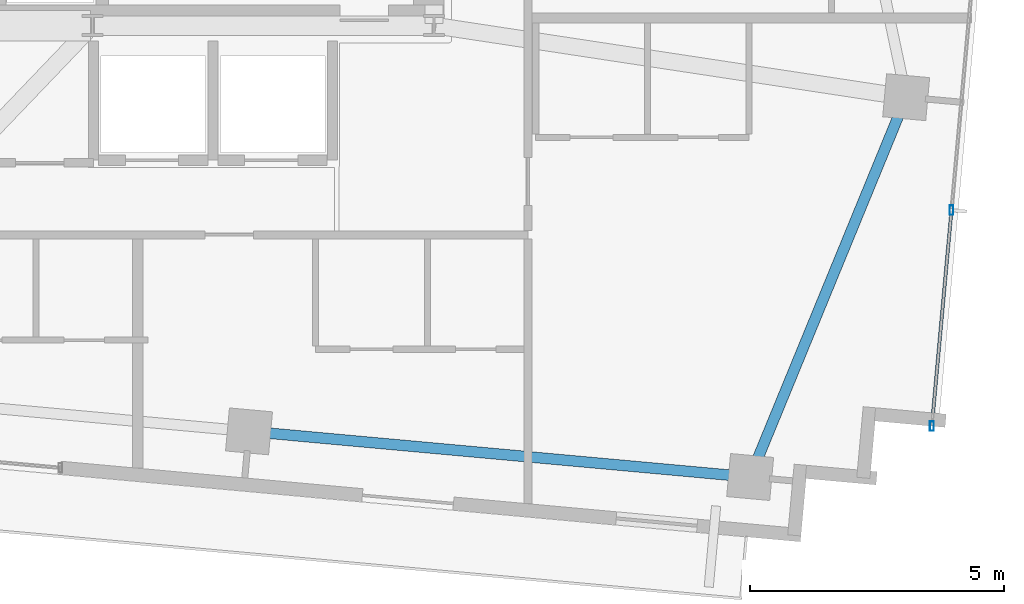
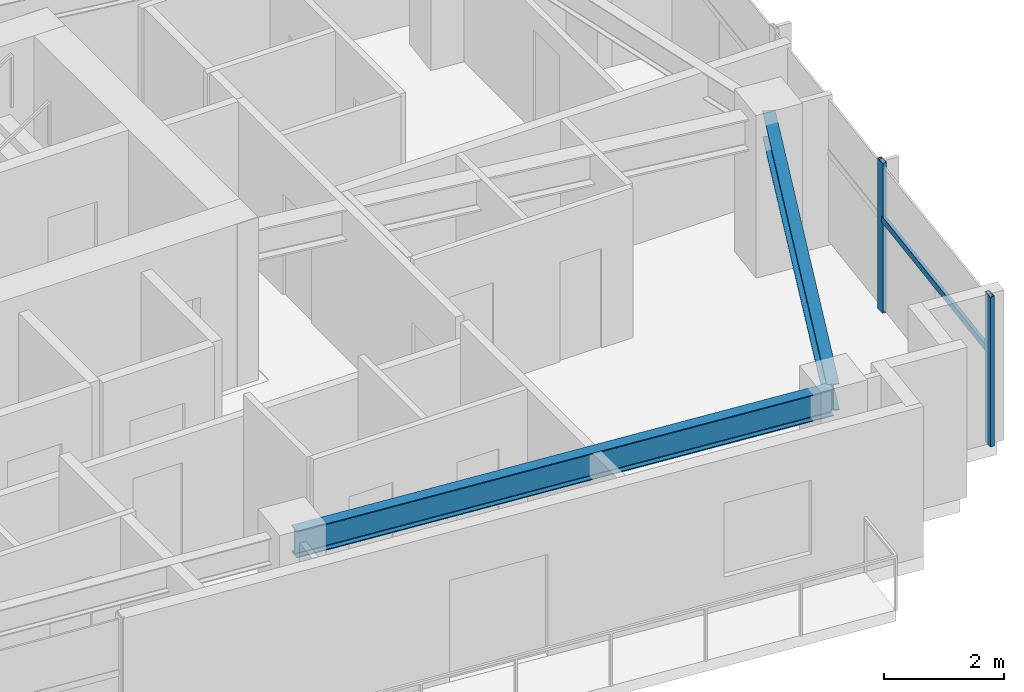
# One storey, part 12 of 22: 3 members, 2 beams, 1 element without a shape of its own.
"""IFC4 building model written with IfcOpenShell, lengths in metres."""

import ifcopenshell
import ifcopenshell.guid

model = None  # the IFC model being written
_history = None  # IfcOwnerHistory: only IFC2X3 demands one
_inside = {}  # id of a spatial element -> (the spatial element, [elements in it])
_under = {}  # id of a project, library or spatial element -> (it, [spatial elements below it])
_declared = {}  # id of a project -> (the project, [libraries it declares])
_typed = {}  # id of a type object -> (the type object, [elements of that type])
_made_of = {}  # id of a material, layer set ... -> (it, [elements and type objects made of it])


def new_model(schema):
    """Start an empty IFC model of exactly this schema.

    Asked for "IFC4X3", IfcOpenShell would pick the latest addendum, in which some entities
    have other attributes; the version numbers below select the first issue.
    IFC2X3 requires an IfcOwnerHistory on every rooted entity: one is made here for all.
    """
    global model, _history
    if schema == "IFC4X3":
        model = ifcopenshell.file(schema_version=(4, 3, 0, 0))
    else:
        model = ifcopenshell.file(schema=schema)
    _inside.clear()
    _under.clear()
    _declared.clear()
    _typed.clear()
    _made_of.clear()
    _history = None
    if model.schema == "IFC2X3":
        org = make("IfcOrganization", Name="unknown")
        user = make(
            "IfcPersonAndOrganization",
            ThePerson=make("IfcPerson", FamilyName="unknown"),
            TheOrganization=org,
        )
        app = make(
            "IfcApplication",
            ApplicationDeveloper=org,
            Version="unknown",
            ApplicationFullName="unknown",
            ApplicationIdentifier="unknown",
        )
        _history = make(
            "IfcOwnerHistory",
            OwningUser=user,
            OwningApplication=app,
            ChangeAction="ADDED",
            CreationDate=0,
        )
    return model


def make(cls, **values):
    """One entity of the class cls with the attributes given. An attribute that is None is left unset."""
    return model.create_entity(
        cls, **{name: value for name, value in values.items() if value is not None}
    )


def rooted(cls, **values):
    """An entity with a GlobalId (a new one), such as an element, a storey or a relation."""
    return make(cls, GlobalId=ifcopenshell.guid.new(), OwnerHistory=_history, **values)


def si_unit(unit_type, name, prefix=None):
    """IfcSIUnit, for example si_unit("LENGTHUNIT", "METRE", prefix="MILLI")."""
    return make("IfcSIUnit", UnitType=unit_type, Prefix=prefix, Name=name)


def assignment(units):
    """IfcUnitAssignment: the units of a project."""
    return None if units is None else make("IfcUnitAssignment", Units=units)


def point(xyz):
    """IfcCartesianPoint."""
    return None if xyz is None else make("IfcCartesianPoint", Coordinates=xyz)


def direction(xyz):
    """IfcDirection."""
    return None if xyz is None else make("IfcDirection", DirectionRatios=xyz)


def frame(location, z_axis=None, x_axis=None):
    """IfcAxis2Placement3D, a coordinate frame: its origin and axes. An axis left out is left unset."""
    return make(
        "IfcAxis2Placement3D",
        Location=point(location),
        Axis=direction(z_axis),
        RefDirection=direction(x_axis),
    )


def frame_2d(location, x_axis=None):
    """IfcAxis2Placement2D, a coordinate frame in the plane: its origin and x axis."""
    return make(
        "IfcAxis2Placement2D", Location=point(location), RefDirection=direction(x_axis)
    )


def origin():
    """The frame at (0, 0, 0) with its axes left unset."""
    return frame((0.0, 0.0, 0.0))


def origin_2d():
    """The frame at (0, 0) in the plane with its x axis left unset."""
    return frame_2d((0.0, 0.0))


def place(relative_to, where):
    """IfcLocalPlacement: puts the frame where relative to a parent placement (None: the world)."""
    return make(
        "IfcLocalPlacement", PlacementRelTo=relative_to, RelativePlacement=where
    )


def context(
    kind, dimensions, precision=None, world=None, true_north=None, identifier=None
):
    """IfcGeometricRepresentationContext, for example the 3D "Model" context."""
    return make(
        "IfcGeometricRepresentationContext",
        ContextIdentifier=identifier,
        ContextType=kind,
        CoordinateSpaceDimension=dimensions,
        Precision=precision,
        WorldCoordinateSystem=world,
        TrueNorth=true_north,
    )


def subcontext(parent, identifier, kind, view, scale=None):
    """IfcGeometricRepresentationSubContext, for example "Body" below "Model"."""
    return make(
        "IfcGeometricRepresentationSubContext",
        ContextIdentifier=identifier,
        ContextType=kind,
        ParentContext=parent,
        TargetScale=scale,
        TargetView=view,
    )


def project(units=None, contexts=None):
    """IfcProject with its units and contexts."""
    return rooted(
        "IfcProject",
        Name="project",
        RepresentationContexts=contexts,
        UnitsInContext=assignment(units),
    )


def spatial(cls, under=None, at=None, **own):
    """A site, building, storey or space (cls), placed at a placement, below another one or the project."""
    s = rooted(cls, ObjectPlacement=at, **own)
    if under is not None:
        _under.setdefault(under.id(), (under, []))[1].append(s)
    return s


def profile(cls, at=None, kind="AREA", **sizes):
    """A parametric profile (cls). Its sizes go by their IFC names, for example OverallWidth=200.0."""
    return make(cls, ProfileType=kind, Position=at, **sizes)


def hollow_rectangle(**sizes):
    """IfcRectangleHollowProfileDef."""
    return profile("IfcRectangleHollowProfileDef", **sizes)


def i_section(**sizes):
    """IfcIShapeProfileDef."""
    return profile("IfcIShapeProfileDef", **sizes)


def extrude(swept, where, along, depth):
    """IfcExtrudedAreaSolid: the profile swept, set in the frame where, extruded along a direction by depth."""
    return make(
        "IfcExtrudedAreaSolid",
        SweptArea=swept,
        Position=where,
        ExtrudedDirection=direction(along),
        Depth=depth,
    )


def shape(context_of_items, identifier, shape_type, items):
    """IfcShapeRepresentation: the items that make up one representation, for example the "Body"."""
    return make(
        "IfcShapeRepresentation",
        ContextOfItems=context_of_items,
        RepresentationIdentifier=identifier,
        RepresentationType=shape_type,
        Items=items,
    )


def source(mapping_origin, context_of_items, identifier, shape_type, items):
    """IfcRepresentationMap: a shape defined once, which mapped items show again and again."""
    return make(
        "IfcRepresentationMap",
        MappingOrigin=mapping_origin,
        MappedRepresentation=shape(context_of_items, identifier, shape_type, items),
    )


def transform(
    local_origin,
    x_axis=None,
    y_axis=None,
    z_axis=None,
    scale=None,
    scale2=None,
    scale3=None,
    uniform=True,
):
    """IfcCartesianTransformationOperator3D, or its non-uniform kind. x_axis, y_axis, z_axis: its Axis1, 2, 3."""
    if uniform:
        return make(
            "IfcCartesianTransformationOperator3D",
            Axis1=direction(x_axis),
            Axis2=direction(y_axis),
            LocalOrigin=point(local_origin),
            Scale=scale,
            Axis3=direction(z_axis),
        )
    return make(
        "IfcCartesianTransformationOperator3DnonUniform",
        Axis1=direction(x_axis),
        Axis2=direction(y_axis),
        LocalOrigin=point(local_origin),
        Scale=scale,
        Axis3=direction(z_axis),
        Scale2=scale2,
        Scale3=scale3,
    )


def mapped(mapping_source, mapping_target):
    """IfcMappedItem: shows the shape of a source again, moved by a transform."""
    return make(
        "IfcMappedItem", MappingSource=mapping_source, MappingTarget=mapping_target
    )


def material(Name=None, Category=None):
    """IfcMaterial."""
    return make("IfcMaterial", Name=Name, Category=Category)


def material_profile(
    of_material, cross_section, Name=None, Category=None, Priority=None
):
    """IfcMaterialProfile: a cross section and its material."""
    return make(
        "IfcMaterialProfile",
        Name=Name,
        Material=of_material,
        Profile=cross_section,
        Priority=Priority,
        Category=Category,
    )


def profile_set(profiles, Name=None, composite=None):
    """IfcMaterialProfileSet."""
    return make(
        "IfcMaterialProfileSet",
        Name=Name,
        MaterialProfiles=profiles,
        CompositeProfile=composite,
    )


def made_of(thing, what):
    """Note that an element or type object is made of a material, layer set ...; save() writes the relation."""
    if what is not None:
        _made_of.setdefault(what.id(), (what, []))[1].append(thing)
    return thing


def type_object(cls, material=None, **own):
    """A type object (cls), such as IfcWallType, which elements share."""
    return made_of(rooted(cls, **own), material)


def type_shapes(of_type, sources):
    """Give a type object the sources (RepresentationMaps) that its elements show as mapped items."""
    of_type.RepresentationMaps = sources


def element(
    cls,
    number,
    at=None,
    inside=None,
    cuts=None,
    type_object=None,
    material=None,
    context=None,
    identifier="Body",
    shape_type=None,
    held_by="IfcProductDefinitionShape",
    body=None,
    shapes=None,
    **own,
):
    """One element of the class cls, such as IfcWall. Its Tag is "e" and its number.

    at: its placement. inside: the storey or other place that contains it. cuts: it is an
    opening in that element (IfcRelVoidsElement). A single representation is given by context,
    identifier, shape_type and body (its items); several are given by shapes. held_by: the class
    of the entity that holds the representations. save() writes the other relations.
    """
    e = rooted(cls, Tag="e%d" % number, ObjectPlacement=at, **own)
    if body is not None:
        shapes = [shape(context, identifier, shape_type, body)]
    if shapes is not None:
        e.Representation = make(held_by, Representations=shapes)
    if inside is not None:
        _inside.setdefault(inside.id(), (inside, []))[1].append(e)
    if cuts is not None:
        rooted(
            "IfcRelVoidsElement", RelatingBuildingElement=cuts, RelatedOpeningElement=e
        )
    if type_object is not None:
        _typed.setdefault(type_object.id(), (type_object, []))[1].append(e)
    return made_of(e, material)


def aggregate(whole, parts):
    """IfcRelAggregates: a whole, such as a stair, and the parts it consists of."""
    return rooted("IfcRelAggregates", RelatingObject=whole, RelatedObjects=parts)


def save(model, path):
    """Write the relations noted so far, then the file.

    IfcRelAggregates (storeys below a building ...), IfcRelContainedInSpatialStructure (elements
    in a storey), IfcRelDefinesByType, IfcRelAssociatesMaterial and IfcRelDeclares: one each for
    every whole, place, type object, material and project.
    """
    for whole, parts in _under.values():
        aggregate(whole, parts)
    for where, things in _inside.values():
        rooted(
            "IfcRelContainedInSpatialStructure",
            RelatedElements=things,
            RelatingStructure=where,
        )
    for kind, things in _typed.values():
        rooted("IfcRelDefinesByType", RelatedObjects=things, RelatingType=kind)
    for what, things in _made_of.values():
        rooted("IfcRelAssociatesMaterial", RelatedObjects=things, RelatingMaterial=what)
    for by, libraries in _declared.values():
        rooted("IfcRelDeclares", RelatingContext=by, RelatedDefinitions=libraries)
    model.write(path)


model = new_model("IFC4")

# Units and contexts
model_context = context("Model", 3, precision=1e-05, world=origin(), true_north=direction((0.0, 1.0)))
body_context = subcontext(model_context, "Body", "Model", "MODEL_VIEW")
ifc_project = project(units=[si_unit("LENGTHUNIT", "METRE"), si_unit("AREAUNIT", "SQUARE_METRE"), si_unit("VOLUMEUNIT", "CUBIC_METRE"), si_unit("PLANEANGLEUNIT", "RADIAN"), si_unit("MASSUNIT", "GRAM", prefix="KILO")], contexts=[model_context])

# Site, building, storey
site_placement = place(None, origin())
site = spatial("IfcSite", under=ifc_project, at=site_placement, CompositionType="ELEMENT")
building_placement = place(site_placement, origin())
building = spatial("IfcBuilding", under=site, at=building_placement, Name="Astriad Promenade Condominiums", CompositionType="ELEMENT")
storey_placement = place(building_placement, frame((0.0, 0.0, 236.39990234375)))
storey = spatial("IfcBuildingStorey", under=building, at=storey_placement, Name="L68", CompositionType="ELEMENT", Elevation=236.39990234375)

# Beams
ifc_material_1 = material(Name="Steel ASTM A992 Grade 50", Category="steel")
ifc_material_profile_1 = material_profile(ifc_material_1, i_section(OverallWidth=0.210693359375, OverallDepth=0.53955078125, WebThickness=0.01171875, FlangeThickness=0.018798828125, FilletRadius=0.0166015625, at=origin_2d()), Name="W21X73")
ifc_profile_set_1 = profile_set([ifc_material_profile_1], Name="Steel ASTM A992 Grade 50")
beam_type = type_object("IfcBeamType", Name="STEEL SPANDREL BEAM W21X73", PredefinedType="SPANDREL", material=ifc_profile_set_1)
shared_shape_1 = source(origin(), body_context, "Body", "SweptSolid", [
    extrude(i_section(OverallWidth=0.210693359375, OverallDepth=0.53955078125, WebThickness=0.01171875, FlangeThickness=0.018798828125, FilletRadius=0.0166015625, at=origin_2d()), origin(), (0.0, 0.0, 1.0), 9.820068359375),
])
beam_1_placement = place(storey_placement, frame((41.99951171875, 9.410888671875, 2.7705078125), z_axis=(0.995883214993, -0.090645585088, 0.0), x_axis=(0.090645585088, 0.995883214993, 0.0)))
element("IfcBeam", 1, at=beam_1_placement, inside=storey, type_object=beam_type, Name="Perimeter Spandrel Beam SP-S4-L68", PredefinedType="SPANDREL", context=body_context, shape_type="MappedRepresentation", body=[
    mapped(shared_shape_1, transform((0.0, 0.0, 0.0), scale=1.0)),
])
shared_shape_2 = source(origin(), body_context, "Body", "SweptSolid", [
    extrude(i_section(OverallWidth=0.210693359375, OverallDepth=0.53955078125, WebThickness=0.01171875, FlangeThickness=0.018798828125, FilletRadius=0.0166015625, at=origin_2d()), origin(), (0.0, 0.0, 1.0), 7.998779296875),
])
type_shapes(beam_type, [shared_shape_1, shared_shape_2])
beam_2_placement = place(storey_placement, frame((51.833984375, 8.55419921875, 2.7705078125), z_axis=(0.38000513148, 0.924984378273, 0.0), x_axis=(-0.924984378273, 0.38000513148, 0.0)))
element("IfcBeam", 2, at=beam_2_placement, inside=storey, type_object=beam_type, Name="Perimeter Spandrel Beam SP-E1-L68", PredefinedType="SPANDREL", context=body_context, shape_type="MappedRepresentation", body=[
    mapped(shared_shape_2, transform((0.0, 0.0, 0.0), scale=1.0)),
])

# Curtain wall, members
ifc_material_2 = material(Name="Anodised aluminium Black Dark Glass Unitised", Category="aluminium")
curtain_wall_type = type_object("IfcCurtainWallType", Name="CW-B5-DARK", PredefinedType="USERDEFINED", material=ifc_material_2)
curtain_wall_placement = place(storey_placement, origin())
curtain_wall = element("IfcCurtainWall", 3, at=curtain_wall_placement, inside=storey, type_object=curtain_wall_type, Name="CW-L68-E", ObjectType="UNITISED_CURTAIN_WALL", PredefinedType="USERDEFINED")
ifc_material_3 = material(Name="Anodised aluminium 6063-T6 Black", Category="aluminium")
ifc_material_profile_2 = material_profile(ifc_material_3, hollow_rectangle(XDim=0.06494140625, YDim=0.1298828125, WallThickness=0.00390625, at=origin_2d()), Name="ALU-TRN-65X130")
ifc_profile_set_2 = profile_set([ifc_material_profile_2], Name="Anodised aluminium 6063-T6 Black")
member_type_1 = type_object("IfcMemberType", Name="TRN-ALU-TRN-65X130", PredefinedType="USERDEFINED", material=ifc_profile_set_2)
shared_shape_3 = source(origin(), body_context, "Body", "SweptSolid", [
    extrude(hollow_rectangle(XDim=0.06494140625, YDim=0.1298828125, WallThickness=0.00390625, at=origin_2d()), origin(), (0.0, 0.0, 1.0), 4.2666015625),
])
type_shapes(member_type_1, [shared_shape_3])
member_1_placement = place(storey_placement, frame((55.78076171875, 13.766357421875, 1.885009765625), z_axis=(-0.090638931954, -0.99588382054, 0.0), x_axis=(0.99588382054, -0.090638931954, 0.0)))
member_1 = element("IfcMember", 4, at=member_1_placement, type_object=member_type_1, Name="CW-L68-E-TRN-02-0", ObjectType="TRANSOM", PredefinedType="USERDEFINED", context=body_context, shape_type="MappedRepresentation", body=[
    mapped(shared_shape_3, transform((0.0, 0.0, 0.0), scale=1.0)),
])
ifc_material_profile_3 = material_profile(ifc_material_3, hollow_rectangle(XDim=0.074951171875, YDim=0.18505859375, WallThickness=0.00439453125, at=origin_2d()), Name="ALU-MUL-75X185")
ifc_profile_set_3 = profile_set([ifc_material_profile_3], Name="Anodised aluminium 6063-T6 Black")
member_type_2 = type_object("IfcMemberType", Name="MUL-ALU-MUL-75X185", PredefinedType="MULLION", material=ifc_profile_set_3)
shared_shape_4 = source(origin(), body_context, "Body", "SweptSolid", [
    extrude(hollow_rectangle(XDim=0.074951171875, YDim=0.18505859375, WallThickness=0.00439453125, at=origin_2d()), origin(), (0.0, 0.0, 1.0), 3.0400390625),
])
type_shapes(member_type_2, [shared_shape_4])
member_2_placement = place(storey_placement, frame((55.78076171875, 13.766357421875, 0.0), z_axis=(0.0, 0.0, 1.0), x_axis=(1.0, 0.0, 0.0)))
member_2 = element("IfcMember", 5, at=member_2_placement, type_object=member_type_2, Name="CW-L68-E-MUL-02", PredefinedType="MULLION", context=body_context, shape_type="MappedRepresentation", body=[
    mapped(shared_shape_4, transform((0.0, 0.0, 0.0), scale=1.0)),
])
member_3_placement = place(storey_placement, frame((55.39404296875, 9.517333984375, 0.0), z_axis=(0.0, 0.0, 1.0), x_axis=(1.0, 0.0, 0.0)))
member_3 = element("IfcMember", 6, at=member_3_placement, type_object=member_type_2, Name="CW-L68-E-MUL-03", PredefinedType="MULLION", context=body_context, shape_type="MappedRepresentation", body=[
    mapped(shared_shape_4, transform((0.0, 0.0, 0.0), scale=1.0)),
])
aggregate(curtain_wall, [member_2, member_3, member_1])

save(model, "model.ifc")
